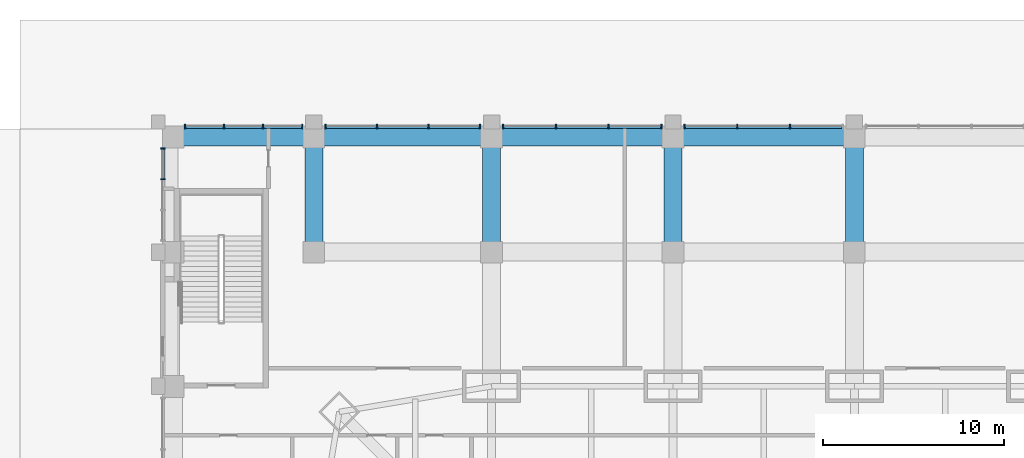
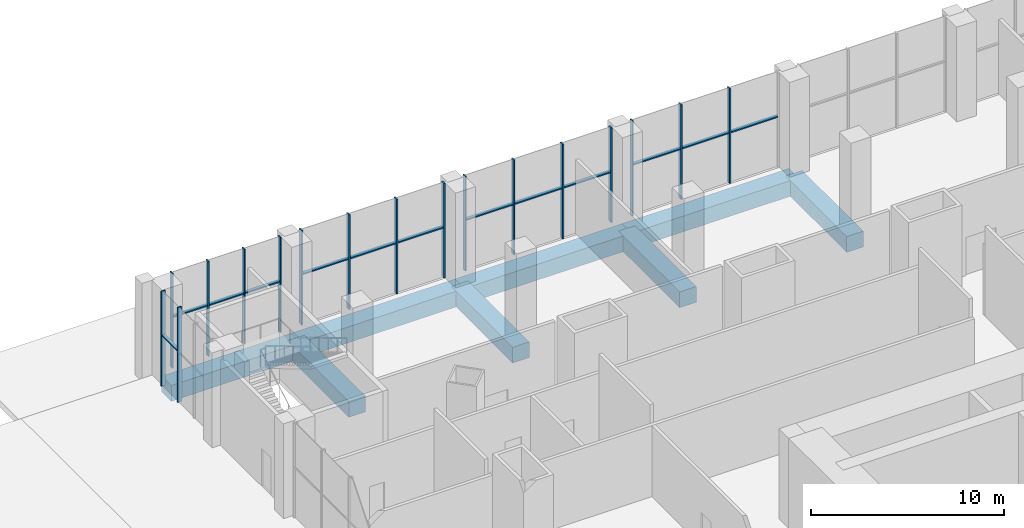
# One storey, part 13 of 31: 30 members, 8 beams, 5 elements without a shape of their own.
"""IFC4 building model written with IfcOpenShell, lengths in metres."""

from ifc_helpers import new_model, si_unit, direction, frame, origin, origin_2d, place, context, subcontext, project, spatial, rectangle, extrude, material, material_profile, profile_set, type_object, element, aggregate, save


model = new_model("IFC4")

# Units and contexts
model_context = context("Model", 3, precision=1e-05, world=origin(), true_north=direction((0.0, 1.0)))
body_context = subcontext(model_context, "Body", "Model", "MODEL_VIEW")
ifc_project = project(units=[si_unit("LENGTHUNIT", "METRE"), si_unit("AREAUNIT", "SQUARE_METRE"), si_unit("VOLUMEUNIT", "CUBIC_METRE"), si_unit("PLANEANGLEUNIT", "RADIAN"), si_unit("MASSUNIT", "GRAM", prefix="KILO")], contexts=[model_context])

# Site, building, storey
site_placement = place(None, origin())
site = spatial("IfcSite", under=ifc_project, at=site_placement, CompositionType="ELEMENT")
building_placement = place(site_placement, origin())
building = spatial("IfcBuilding", under=site, at=building_placement, Name="Khuree Lantern Residences", CompositionType="ELEMENT")
storey_placement = place(building_placement, origin())
storey = spatial("IfcBuildingStorey", under=building, at=storey_placement, Name="L00", CompositionType="ELEMENT", Elevation=0.0)

# Curtain wall, members
ifc_material_1 = material(Name="Bronze anodised aluminium", Category="aluminium")
curtain_wall_type = type_object("IfcCurtainWallType", Name="CW-P PODIUM STOREFRONT CURTAIN WALL", PredefinedType="USERDEFINED", material=ifc_material_1)
curtain_wall_1_placement = place(storey_placement, origin())
curtain_wall_1 = element("IfcCurtainWall", 1, at=curtain_wall_1_placement, inside=storey, type_object=curtain_wall_type, Name="L00 NORTH FACE BAY 5 STOREFRONT", ObjectType="Storefront curtain wall", PredefinedType="USERDEFINED")
ifc_material_profile_1 = material_profile(ifc_material_1, rectangle(XDim=0.074951171875, YDim=0.25, at=origin_2d()), Name="M5 75X250")
ifc_profile_set_1 = profile_set([ifc_material_profile_1], Name="Bronze anodised aluminium")
member_type_1 = type_object("IfcMemberType", Name="MULLION M5 STOREFRONT 75X250", PredefinedType="MULLION", material=ifc_profile_set_1)
member_1_placement = place(storey_placement, frame((-3.5458984375, 44.125, 0.0), z_axis=(0.0, 0.0, 1.0), x_axis=(-1.0, 0.0, 0.0)))
member_1 = element("IfcMember", 2, at=member_1_placement, type_object=member_type_1, Name="L00 NORTH FACE BAY 5 MULLION 2", PredefinedType="MULLION", context=body_context, shape_type="SweptSolid", body=[
    extrude(rectangle(XDim=0.074951171875, YDim=0.25, at=origin_2d()), origin(), (0.0, 0.0, 1.0), 6.0),
])
member_2_placement = place(storey_placement, frame((-6.4541015625, 44.125, 0.0), z_axis=(0.0, 0.0, 1.0), x_axis=(-1.0, 0.0, 0.0)))
member_2 = element("IfcMember", 3, at=member_2_placement, type_object=member_type_1, Name="L00 NORTH FACE BAY 5 MULLION 3", PredefinedType="MULLION", context=body_context, shape_type="SweptSolid", body=[
    extrude(rectangle(XDim=0.074951171875, YDim=0.25, at=origin_2d()), origin(), (0.0, 0.0, 1.0), 6.0),
])
member_3_placement = place(storey_placement, frame((-9.362548828125, 44.125, 0.0), z_axis=(0.0, 0.0, 1.0), x_axis=(-1.0, 0.0, 0.0)))
member_3 = element("IfcMember", 4, at=member_3_placement, type_object=member_type_1, Name="L00 NORTH FACE BAY 5 MULLION 4", PredefinedType="MULLION", context=body_context, shape_type="SweptSolid", body=[
    extrude(rectangle(XDim=0.074951171875, YDim=0.25, at=origin_2d()), origin(), (0.0, 0.0, 1.0), 6.0),
])

curtain_wall_2_placement = place(storey_placement, origin())
curtain_wall_2 = element("IfcCurtainWall", 5, at=curtain_wall_2_placement, inside=storey, type_object=curtain_wall_type, Name="L00 NORTH FACE BAY 6 STOREFRONT", ObjectType="Storefront curtain wall", PredefinedType="USERDEFINED")
member_4_placement = place(storey_placement, frame((-10.637451171875, 44.125, 0.0), z_axis=(0.0, 0.0, 1.0), x_axis=(-1.0, 0.0, 0.0)))
member_4 = element("IfcMember", 6, at=member_4_placement, type_object=member_type_1, Name="L00 NORTH FACE BAY 6 MULLION 1", PredefinedType="MULLION", context=body_context, shape_type="SweptSolid", body=[
    extrude(rectangle(XDim=0.074951171875, YDim=0.25, at=origin_2d()), origin(), (0.0, 0.0, 1.0), 6.0),
])
member_5_placement = place(storey_placement, frame((-13.5458984375, 44.125, 0.0), z_axis=(0.0, 0.0, 1.0), x_axis=(-1.0, 0.0, 0.0)))
member_5 = element("IfcMember", 7, at=member_5_placement, type_object=member_type_1, Name="L00 NORTH FACE BAY 6 MULLION 2", PredefinedType="MULLION", context=body_context, shape_type="SweptSolid", body=[
    extrude(rectangle(XDim=0.074951171875, YDim=0.25, at=origin_2d()), origin(), (0.0, 0.0, 1.0), 6.0),
])
member_6_placement = place(storey_placement, frame((-16.4541015625, 44.125, 0.0), z_axis=(0.0, 0.0, 1.0), x_axis=(-1.0, 0.0, 0.0)))
member_6 = element("IfcMember", 8, at=member_6_placement, type_object=member_type_1, Name="L00 NORTH FACE BAY 6 MULLION 3", PredefinedType="MULLION", context=body_context, shape_type="SweptSolid", body=[
    extrude(rectangle(XDim=0.074951171875, YDim=0.25, at=origin_2d()), origin(), (0.0, 0.0, 1.0), 6.0),
])
member_7_placement = place(storey_placement, frame((-19.362548828125, 44.125, 0.0), z_axis=(0.0, 0.0, 1.0), x_axis=(-1.0, 0.0, 0.0)))
member_7 = element("IfcMember", 9, at=member_7_placement, type_object=member_type_1, Name="L00 NORTH FACE BAY 6 MULLION 4", PredefinedType="MULLION", context=body_context, shape_type="SweptSolid", body=[
    extrude(rectangle(XDim=0.074951171875, YDim=0.25, at=origin_2d()), origin(), (0.0, 0.0, 1.0), 6.0),
])

curtain_wall_3_placement = place(storey_placement, origin())
curtain_wall_3 = element("IfcCurtainWall", 10, at=curtain_wall_3_placement, inside=storey, type_object=curtain_wall_type, Name="L00 NORTH FACE BAY 7 STOREFRONT", ObjectType="Storefront curtain wall", PredefinedType="USERDEFINED")
member_8_placement = place(storey_placement, frame((-20.637451171875, 44.125, 0.0), z_axis=(0.0, 0.0, 1.0), x_axis=(-1.0, 0.0, 0.0)))
member_8 = element("IfcMember", 11, at=member_8_placement, type_object=member_type_1, Name="L00 NORTH FACE BAY 7 MULLION 1", PredefinedType="MULLION", context=body_context, shape_type="SweptSolid", body=[
    extrude(rectangle(XDim=0.074951171875, YDim=0.25, at=origin_2d()), origin(), (0.0, 0.0, 1.0), 6.0),
])
member_9_placement = place(storey_placement, frame((-23.479248046875, 44.125, 0.0), z_axis=(0.0, 0.0, 1.0), x_axis=(-1.0, 0.0, 0.0)))
member_9 = element("IfcMember", 12, at=member_9_placement, type_object=member_type_1, Name="L00 NORTH FACE BAY 7 MULLION 2", PredefinedType="MULLION", context=body_context, shape_type="SweptSolid", body=[
    extrude(rectangle(XDim=0.074951171875, YDim=0.25, at=origin_2d()), origin(), (0.0, 0.0, 1.0), 6.0),
])
member_10_placement = place(storey_placement, frame((-26.32080078125, 44.125, 0.0), z_axis=(0.0, 0.0, 1.0), x_axis=(-1.0, 0.0, 0.0)))
member_10 = element("IfcMember", 13, at=member_10_placement, type_object=member_type_1, Name="L00 NORTH FACE BAY 7 MULLION 3", PredefinedType="MULLION", context=body_context, shape_type="SweptSolid", body=[
    extrude(rectangle(XDim=0.074951171875, YDim=0.25, at=origin_2d()), origin(), (0.0, 0.0, 1.0), 6.0),
])
member_11_placement = place(storey_placement, frame((-29.16259765625, 44.125, 0.0), z_axis=(0.0, 0.0, 1.0), x_axis=(-1.0, 0.0, 0.0)))
member_11 = element("IfcMember", 14, at=member_11_placement, type_object=member_type_1, Name="L00 NORTH FACE BAY 7 MULLION 4", PredefinedType="MULLION", context=body_context, shape_type="SweptSolid", body=[
    extrude(rectangle(XDim=0.074951171875, YDim=0.25, at=origin_2d()), origin(), (0.0, 0.0, 1.0), 6.0),
])

curtain_wall_4_placement = place(storey_placement, origin())
curtain_wall_4 = element("IfcCurtainWall", 15, at=curtain_wall_4_placement, inside=storey, type_object=curtain_wall_type, Name="L00 NORTH FACE BAY 8 STOREFRONT", ObjectType="Storefront curtain wall", PredefinedType="USERDEFINED")
member_12_placement = place(storey_placement, frame((-30.4375, 44.125, 0.0), z_axis=(0.0, 0.0, 1.0), x_axis=(-1.0, 0.0, 0.0)))
member_12 = element("IfcMember", 16, at=member_12_placement, type_object=member_type_1, Name="L00 NORTH FACE BAY 8 MULLION 1", PredefinedType="MULLION", context=body_context, shape_type="SweptSolid", body=[
    extrude(rectangle(XDim=0.074951171875, YDim=0.25, at=origin_2d()), origin(), (0.0, 0.0, 1.0), 6.0),
])
member_13_placement = place(storey_placement, frame((-32.595947265625, 44.125, 0.0), z_axis=(0.0, 0.0, 1.0), x_axis=(-1.0, 0.0, 0.0)))
member_13 = element("IfcMember", 17, at=member_13_placement, type_object=member_type_1, Name="L00 NORTH FACE BAY 8 MULLION 2", PredefinedType="MULLION", context=body_context, shape_type="SweptSolid", body=[
    extrude(rectangle(XDim=0.074951171875, YDim=0.25, at=origin_2d()), origin(), (0.0, 0.0, 1.0), 6.0),
])
member_14_placement = place(storey_placement, frame((-34.754150390625, 44.125, 0.0), z_axis=(0.0, 0.0, 1.0), x_axis=(-1.0, 0.0, 0.0)))
member_14 = element("IfcMember", 18, at=member_14_placement, type_object=member_type_1, Name="L00 NORTH FACE BAY 8 MULLION 3", PredefinedType="MULLION", context=body_context, shape_type="SweptSolid", body=[
    extrude(rectangle(XDim=0.074951171875, YDim=0.25, at=origin_2d()), origin(), (0.0, 0.0, 1.0), 6.0),
])
member_15_placement = place(storey_placement, frame((-36.91259765625, 44.125, 0.0), z_axis=(0.0, 0.0, 1.0), x_axis=(-1.0, 0.0, 0.0)))
member_15 = element("IfcMember", 19, at=member_15_placement, type_object=member_type_1, Name="L00 NORTH FACE BAY 8 MULLION 4", PredefinedType="MULLION", context=body_context, shape_type="SweptSolid", body=[
    extrude(rectangle(XDim=0.074951171875, YDim=0.25, at=origin_2d()), origin(), (0.0, 0.0, 1.0), 6.0),
])

curtain_wall_5_placement = place(storey_placement, origin())
curtain_wall_5 = element("IfcCurtainWall", 20, at=curtain_wall_5_placement, inside=storey, type_object=curtain_wall_type, Name="L00 WEST FACE BAY 1 STOREFRONT", ObjectType="Storefront curtain wall", PredefinedType="USERDEFINED")
member_16_placement = place(storey_placement, frame((-38.125, 42.91259765625, 0.0), z_axis=(0.0, 0.0, 1.0), x_axis=(0.0, -1.0, 0.0)))
member_16 = element("IfcMember", 21, at=member_16_placement, type_object=member_type_1, Name="L00 WEST FACE BAY 1 MULLION 1", PredefinedType="MULLION", context=body_context, shape_type="SweptSolid", body=[
    extrude(rectangle(XDim=0.074951171875, YDim=0.25, at=origin_2d()), origin(), (0.0, 0.0, 1.0), 6.0),
])
member_17_placement = place(storey_placement, frame((-38.125, 41.220947265625, 0.0), z_axis=(0.0, 0.0, 1.0), x_axis=(0.0, -1.0, 0.0)))
member_17 = element("IfcMember", 22, at=member_17_placement, type_object=member_type_1, Name="L00 WEST FACE BAY 1 MULLION 2", PredefinedType="MULLION", context=body_context, shape_type="SweptSolid", body=[
    extrude(rectangle(XDim=0.074951171875, YDim=0.25, at=origin_2d()), origin(), (0.0, 0.0, 1.0), 6.0),
])

# Beams
ifc_material_2 = material(Name="Concrete C40/50", Category="concrete")
ifc_material_profile_2 = material_profile(ifc_material_2, rectangle(XDim=1.0, YDim=1.0, at=origin_2d()), Name="RC 1000X1000")
ifc_profile_set_2 = profile_set([ifc_material_profile_2], Name="Concrete C40/50")
beam_type = type_object("IfcBeamType", Name="RB3 PODIUM BEAM RC 1000X1000", PredefinedType="BEAM", material=ifc_profile_set_2)
beam_1_placement = place(storey_placement, frame((-37.550048828125, 43.550048828125, -0.800048828125), z_axis=(1.0, 0.0, 0.0), x_axis=(0.0, 1.0, 0.0)))
element("IfcBeam", 23, at=beam_1_placement, inside=storey, type_object=beam_type, Name="Podium beam RB-45", PredefinedType="BEAM", context=body_context, shape_type="SweptSolid", body=[
    extrude(rectangle(XDim=1.0, YDim=1.0, at=origin_2d()), origin(), (0.0, 0.0, 1.0), 7.75),
])
beam_2_placement = place(storey_placement, frame((-29.800048828125, 43.550048828125, -0.800048828125), z_axis=(1.0, 0.0, 0.0), x_axis=(0.0, 1.0, 0.0)))
element("IfcBeam", 24, at=beam_2_placement, inside=storey, type_object=beam_type, Name="Podium beam RB-46", PredefinedType="BEAM", context=body_context, shape_type="SweptSolid", body=[
    extrude(rectangle(XDim=1.0, YDim=1.0, at=origin_2d()), origin(), (0.0, 0.0, 1.0), 9.800048828125),
])
for number, where, z_axis, x_axis, name in (
    (25, (-20.0, 43.550048828125, -0.800048828125), (1.0, 0.0, 0.0), (0.0, 1.0, 0.0), "Podium beam RB-47"),
    (26, (-10.0, 43.550048828125, -0.800048828125), (1.0, 0.0, 0.0), (0.0, 1.0, 0.0), "Podium beam RB-48"),
):
    element("IfcBeam", number, at=place(storey_placement, frame(where, z_axis=z_axis, x_axis=x_axis)), inside=storey, type_object=beam_type, Name=name, PredefinedType="BEAM", context=body_context, shape_type="SweptSolid", body=[
        extrude(rectangle(XDim=1.0, YDim=1.0, at=origin_2d()), origin(), (0.0, 0.0, 1.0), 10.0),
    ])
for number, where, z_axis, x_axis, name in (
    (27, (-29.800048828125, 37.199951171875, -0.800048828125), (0.0, 1.0, 0.0), (-1.0, 0.0, 0.0), "Podium beam RB-66"),
    (28, (-20.0, 37.199951171875, -0.800048828125), (0.0, 1.0, 0.0), (-1.0, 0.0, 0.0), "Podium beam RB-72"),
    (29, (-10.0, 37.199951171875, -0.800048828125), (0.0, 1.0, 0.0), (-1.0, 0.0, 0.0), "Podium beam RB-78"),
    (30, (0.0, 37.199951171875, -0.800048828125), (0.0, 1.0, 0.0), (-1.0, 0.0, 0.0), "Podium beam RB-84"),
):
    element("IfcBeam", number, at=place(storey_placement, frame(where, z_axis=z_axis, x_axis=x_axis)), inside=storey, type_object=beam_type, Name=name, PredefinedType="BEAM", context=body_context, shape_type="SweptSolid", body=[
        extrude(rectangle(XDim=1.0, YDim=1.0, at=origin_2d()), origin(), (0.0, 0.0, 1.0), 6.35009765625),
    ])

# Member
ifc_material_profile_3 = material_profile(ifc_material_1, rectangle(XDim=0.199951171875, YDim=0.074951171875, at=origin_2d()), Name="T5 200X75")
ifc_profile_set_3 = profile_set([ifc_material_profile_3], Name="Bronze anodised aluminium")
member_type_2 = type_object("IfcMemberType", Name="TRANSOM T5 STOREFRONT 200X75", PredefinedType="USERDEFINED", material=ifc_profile_set_3)
member_18_placement = place(storey_placement, frame((-0.675048828125, 44.1201171875, 3.199951171875), z_axis=(-1.0, 0.0, 0.0), x_axis=(0.0, -1.0, 0.0)))
member_18 = element("IfcMember", 31, at=member_18_placement, type_object=member_type_2, Name="L00 NORTH FACE BAY 5 TRANSOM 1", ObjectType="Transom", PredefinedType="USERDEFINED", context=body_context, shape_type="SweptSolid", body=[
    extrude(rectangle(XDim=0.199951171875, YDim=0.074951171875, at=origin_2d()), origin(), (0.0, 0.0, 1.0), 2.833251953125),
])

member_19_placement = place(storey_placement, frame((-3.583251953125, 44.1201171875, 3.199951171875), z_axis=(-1.0, 0.0, 0.0), x_axis=(0.0, -1.0, 0.0)))
member_19 = element("IfcMember", 32, at=member_19_placement, type_object=member_type_2, Name="L00 NORTH FACE BAY 5 TRANSOM 2", ObjectType="Transom", PredefinedType="USERDEFINED", context=body_context, shape_type="SweptSolid", body=[
    extrude(rectangle(XDim=0.199951171875, YDim=0.074951171875, at=origin_2d()), origin(), (0.0, 0.0, 1.0), 2.83349609375),
])

member_20_placement = place(storey_placement, frame((-6.49169921875, 44.1201171875, 3.199951171875), z_axis=(-1.0, 0.0, 0.0), x_axis=(0.0, -1.0, 0.0)))
member_20 = element("IfcMember", 33, at=member_20_placement, type_object=member_type_2, Name="L00 NORTH FACE BAY 5 TRANSOM 3", ObjectType="Transom", PredefinedType="USERDEFINED", context=body_context, shape_type="SweptSolid", body=[
    extrude(rectangle(XDim=0.199951171875, YDim=0.074951171875, at=origin_2d()), origin(), (0.0, 0.0, 1.0), 2.833251953125),
])

aggregate(curtain_wall_1, [member_1, member_2, member_3, member_18, member_19, member_20])

member_21_placement = place(storey_placement, frame((-10.675048828125, 44.1201171875, 3.199951171875), z_axis=(-1.0, 0.0, 0.0), x_axis=(0.0, -1.0, 0.0)))
member_21 = element("IfcMember", 34, at=member_21_placement, type_object=member_type_2, Name="L00 NORTH FACE BAY 6 TRANSOM 1", ObjectType="Transom", PredefinedType="USERDEFINED", context=body_context, shape_type="SweptSolid", body=[
    extrude(rectangle(XDim=0.199951171875, YDim=0.074951171875, at=origin_2d()), origin(), (0.0, 0.0, 1.0), 2.833251953125),
])

member_22_placement = place(storey_placement, frame((-13.583251953125, 44.1201171875, 3.199951171875), z_axis=(-1.0, 0.0, 0.0), x_axis=(0.0, -1.0, 0.0)))
member_22 = element("IfcMember", 35, at=member_22_placement, type_object=member_type_2, Name="L00 NORTH FACE BAY 6 TRANSOM 2", ObjectType="Transom", PredefinedType="USERDEFINED", context=body_context, shape_type="SweptSolid", body=[
    extrude(rectangle(XDim=0.199951171875, YDim=0.074951171875, at=origin_2d()), origin(), (0.0, 0.0, 1.0), 2.83349609375),
])

member_23_placement = place(storey_placement, frame((-16.49169921875, 44.1201171875, 3.199951171875), z_axis=(-1.0, 0.0, 0.0), x_axis=(0.0, -1.0, 0.0)))
member_23 = element("IfcMember", 36, at=member_23_placement, type_object=member_type_2, Name="L00 NORTH FACE BAY 6 TRANSOM 3", ObjectType="Transom", PredefinedType="USERDEFINED", context=body_context, shape_type="SweptSolid", body=[
    extrude(rectangle(XDim=0.199951171875, YDim=0.074951171875, at=origin_2d()), origin(), (0.0, 0.0, 1.0), 2.833251953125),
])

aggregate(curtain_wall_2, [member_4, member_5, member_6, member_7, member_21, member_22, member_23])

member_24_placement = place(storey_placement, frame((-20.675048828125, 44.1201171875, 3.199951171875), z_axis=(-1.0, 0.0, 0.0), x_axis=(0.0, -1.0, 0.0)))
member_24 = element("IfcMember", 37, at=member_24_placement, type_object=member_type_2, Name="L00 NORTH FACE BAY 7 TRANSOM 1", ObjectType="Transom", PredefinedType="USERDEFINED", context=body_context, shape_type="SweptSolid", body=[
    extrude(rectangle(XDim=0.199951171875, YDim=0.074951171875, at=origin_2d()), origin(), (0.0, 0.0, 1.0), 2.7666015625),
])

member_25_placement = place(storey_placement, frame((-23.5166015625, 44.1201171875, 3.199951171875), z_axis=(-1.0, 0.0, 0.0), x_axis=(0.0, -1.0, 0.0)))
member_25 = element("IfcMember", 38, at=member_25_placement, type_object=member_type_2, Name="L00 NORTH FACE BAY 7 TRANSOM 2", ObjectType="Transom", PredefinedType="USERDEFINED", context=body_context, shape_type="SweptSolid", body=[
    extrude(rectangle(XDim=0.199951171875, YDim=0.074951171875, at=origin_2d()), origin(), (0.0, 0.0, 1.0), 2.766845703125),
])

member_26_placement = place(storey_placement, frame((-26.3583984375, 44.1201171875, 3.199951171875), z_axis=(-1.0, 0.0, 0.0), x_axis=(0.0, -1.0, 0.0)))
member_26 = element("IfcMember", 39, at=member_26_placement, type_object=member_type_2, Name="L00 NORTH FACE BAY 7 TRANSOM 3", ObjectType="Transom", PredefinedType="USERDEFINED", context=body_context, shape_type="SweptSolid", body=[
    extrude(rectangle(XDim=0.199951171875, YDim=0.074951171875, at=origin_2d()), origin(), (0.0, 0.0, 1.0), 2.7666015625),
])

aggregate(curtain_wall_3, [member_8, member_9, member_10, member_11, member_24, member_25, member_26])

member_27_placement = place(storey_placement, frame((-30.47509765625, 44.1201171875, 3.199951171875), z_axis=(-1.0, 0.0, 0.0), x_axis=(0.0, -1.0, 0.0)))
member_27 = element("IfcMember", 40, at=member_27_placement, type_object=member_type_2, Name="L00 NORTH FACE BAY 8 TRANSOM 1", ObjectType="Transom", PredefinedType="USERDEFINED", context=body_context, shape_type="SweptSolid", body=[
    extrude(rectangle(XDim=0.199951171875, YDim=0.074951171875, at=origin_2d()), origin(), (0.0, 0.0, 1.0), 2.083251953125),
])

member_28_placement = place(storey_placement, frame((-32.63330078125, 44.1201171875, 3.199951171875), z_axis=(-1.0, 0.0, 0.0), x_axis=(0.0, -1.0, 0.0)))
member_28 = element("IfcMember", 41, at=member_28_placement, type_object=member_type_2, Name="L00 NORTH FACE BAY 8 TRANSOM 2", ObjectType="Transom", PredefinedType="USERDEFINED", context=body_context, shape_type="SweptSolid", body=[
    extrude(rectangle(XDim=0.199951171875, YDim=0.074951171875, at=origin_2d()), origin(), (0.0, 0.0, 1.0), 2.083251953125),
])

member_29_placement = place(storey_placement, frame((-34.791748046875, 44.1201171875, 3.199951171875), z_axis=(-1.0, 0.0, 0.0), x_axis=(0.0, -1.0, 0.0)))
member_29 = element("IfcMember", 42, at=member_29_placement, type_object=member_type_2, Name="L00 NORTH FACE BAY 8 TRANSOM 3", ObjectType="Transom", PredefinedType="USERDEFINED", context=body_context, shape_type="SweptSolid", body=[
    extrude(rectangle(XDim=0.199951171875, YDim=0.074951171875, at=origin_2d()), origin(), (0.0, 0.0, 1.0), 2.083251953125),
])

aggregate(curtain_wall_4, [member_12, member_13, member_14, member_15, member_27, member_28, member_29])

member_30_placement = place(storey_placement, frame((-38.1201171875, 42.875, 3.199951171875), z_axis=(0.0, -1.0, 0.0), x_axis=(1.0, 0.0, 0.0)))
member_30 = element("IfcMember", 43, at=member_30_placement, type_object=member_type_2, Name="L00 WEST FACE BAY 1 TRANSOM 1", ObjectType="Transom", PredefinedType="USERDEFINED", context=body_context, shape_type="SweptSolid", body=[
    extrude(rectangle(XDim=0.199951171875, YDim=0.074951171875, at=origin_2d()), origin(), (0.0, 0.0, 1.0), 1.61669921875),
])

aggregate(curtain_wall_5, [member_16, member_17, member_30])

save(model, "model.ifc")
